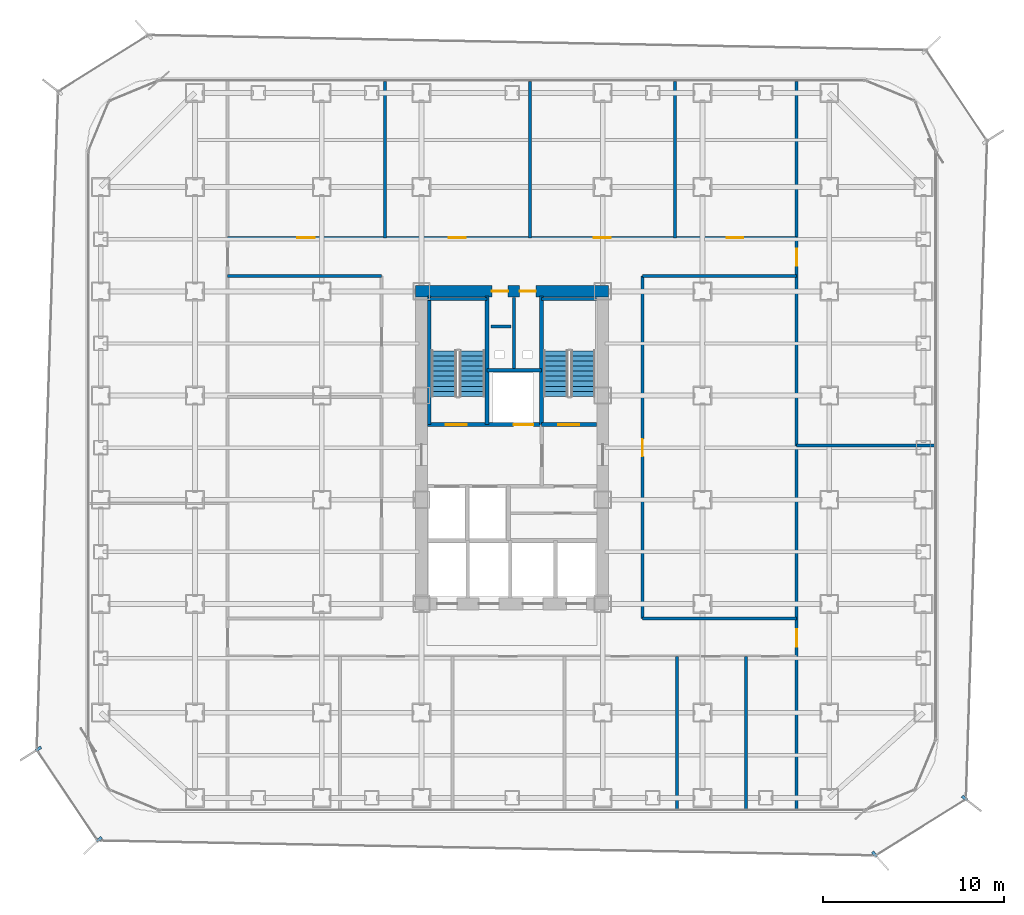
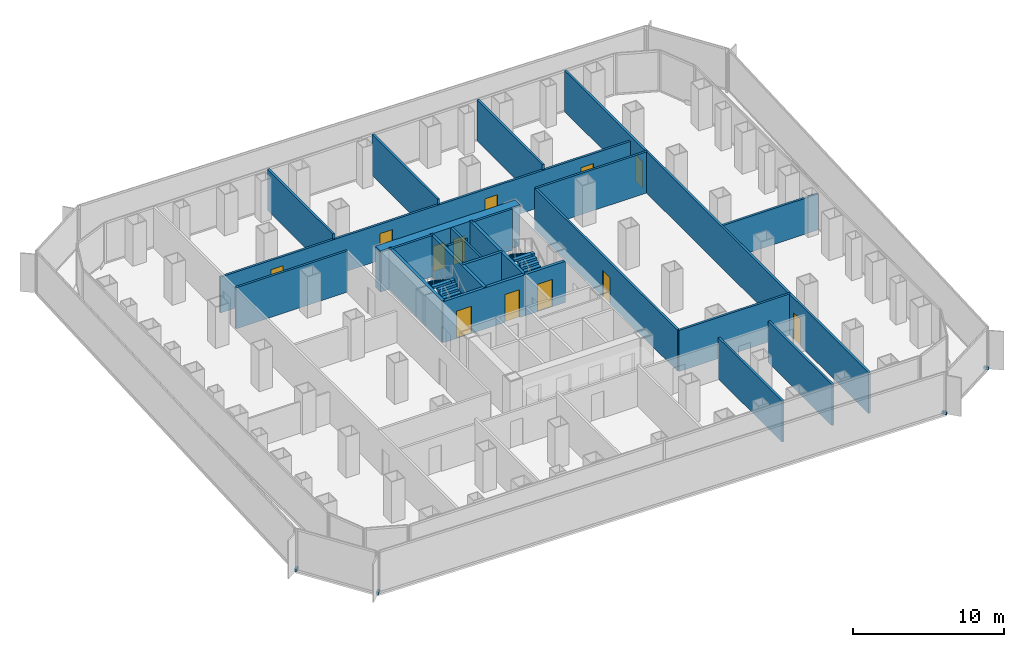
# One storey, part 18 of 22: 23 walls, 12 doors, 4 discrete accessories, 4 stair flights, 12 openings, 2 elements without a shape of their own.
"""IFC4 building model written with IfcOpenShell, lengths in metres."""

from ifc_helpers import new_model, si_unit, direction, frame, frame_2d, origin, origin_2d, place, context, subcontext, project, spatial, polyline, rectangle, outline, extrude, source, transform, mapped, material, layer, layer_set, type_object, element, fill, aggregate, save


model = new_model("IFC4")

# Units and contexts
model_context = context("Model", 3, precision=1e-05, world=origin(), true_north=direction((0.0, 1.0)))
body_context = subcontext(model_context, "Body", "Model", "MODEL_VIEW")
ifc_project = project(units=[si_unit("LENGTHUNIT", "METRE"), si_unit("AREAUNIT", "SQUARE_METRE"), si_unit("VOLUMEUNIT", "CUBIC_METRE"), si_unit("PLANEANGLEUNIT", "RADIAN"), si_unit("MASSUNIT", "GRAM", prefix="KILO")], contexts=[model_context])

# Site, building, storey
site_placement = place(None, origin())
site = spatial("IfcSite", under=ifc_project, at=site_placement, CompositionType="ELEMENT")
building_placement = place(site_placement, origin())
building = spatial("IfcBuilding", under=site, at=building_placement, Name="Kolveth Station Tower", CompositionType="ELEMENT")
storey_placement = place(building_placement, frame((0.0, 0.0, 69.300048828125)))
storey = spatial("IfcBuildingStorey", under=building, at=storey_placement, Name="L18", CompositionType="ELEMENT", Elevation=69.300048828125)

# Wall, openings, doors
ifc_material_1 = material(Name="Concrete C60/75", Category="concrete")
ifc_layer_1 = layer(ifc_material_1, 0.64990234375)
ifc_layer_set_1 = layer_set([ifc_layer_1], Name="Concrete C60/75")
wall_type_1 = type_object("IfcWallType", Name="Wall_CW-650", PredefinedType="SHEAR", material=ifc_layer_set_1)
wall_1_placement = place(storey_placement, frame((18.175048828125, 28.75, 0.0), z_axis=(0.0, 0.0, 1.0), x_axis=(1.0, 0.0, 0.0)))
wall_1 = element("IfcWall", 1, at=wall_1_placement, inside=storey, type_object=wall_type_1, Name="L18 Core RC Shear Wall N", PredefinedType="SHEAR", context=body_context, shape_type="SweptSolid", body=[
    extrude(rectangle(XDim=10.64990234375, YDim=0.64990234375, at=frame_2d((5.324951171875, 0.0))), origin(), (0.0, 0.0, 1.0), 3.320068359375),
])
opening_1_placement = place(wall_1_placement, frame((4.205078125, 0.0, 0.0)))
opening_1 = element("IfcOpeningElement", 2, at=opening_1_placement, cuts=wall_1, Name="Opening RD1", PredefinedType="OPENING", context=body_context, shape_type="SweptSolid", body=[
    extrude(rectangle(XDim=0.89990234375, YDim=2.050048828125, at=frame_2d((0.449951171875, 1.02490234375))), frame((0.0, 0.3349609375, 0.0), z_axis=(0.0, -1.0, 0.0), x_axis=(1.0, 0.0, 0.0)), (0.0, 0.0, 1.0), 0.669921875),
])
opening_2_placement = place(wall_1_placement, frame((5.7451171875, 0.0, 0.0)))
opening_2 = element("IfcOpeningElement", 3, at=opening_2_placement, cuts=wall_1, Name="Opening RD1", PredefinedType="OPENING", context=body_context, shape_type="SweptSolid", body=[
    extrude(rectangle(XDim=0.89990234375, YDim=2.050048828125, at=frame_2d((0.449951171875, 1.02490234375))), frame((0.0, 0.3349609375, 0.0), z_axis=(0.0, -1.0, 0.0), x_axis=(1.0, 0.0, 0.0)), (0.0, 0.0, 1.0), 0.669921875),
])
ifc_material_2 = material(Name="Fire-rated Steel S355 riser access leaf", Category="steel")
door_type_1 = type_object("IfcDoorType", Name="Door_RD1", OperationType="NOTDEFINED", PredefinedType="DOOR", material=ifc_material_2)
door_1_placement = place(opening_1_placement, origin())
door_1 = element("IfcDoor", 4, at=door_1_placement, inside=storey, type_object=door_type_1, Name="L18 Electrical Riser Access Door", OperationType="SINGLE_SWING_RIGHT", OverallHeight=2.050048828125, OverallWidth=0.89990234375, PredefinedType="DOOR", context=body_context, shape_type="SweptSolid", body=[
    extrude(rectangle(XDim=0.89990234375, YDim=2.050048828125, at=frame_2d((0.449951171875, 1.02490234375))), frame((0.0, 0.02490234375, 0.0), z_axis=(0.0, -1.0, 0.0), x_axis=(1.0, 0.0, 0.0)), (0.0, 0.0, 1.0), 0.050048828125),
])
fill(opening_1, door_1)
door_2_placement = place(opening_2_placement, origin())
door_2 = element("IfcDoor", 5, at=door_2_placement, inside=storey, type_object=door_type_1, Name="L18 Smoke Duct Access Door", OperationType="SINGLE_SWING_LEFT", OverallHeight=2.050048828125, OverallWidth=0.89990234375, PredefinedType="DOOR", context=body_context, shape_type="SweptSolid", body=[
    extrude(rectangle(XDim=0.89990234375, YDim=2.050048828125, at=frame_2d((0.449951171875, 1.02490234375))), frame((0.0, 0.02490234375, 0.0), z_axis=(0.0, -1.0, 0.0), x_axis=(1.0, 0.0, 0.0)), (0.0, 0.0, 1.0), 0.050048828125),
])
fill(opening_2, door_2)

# Walls
ifc_material_3 = material(Name="Acoustic double-stud gypsum partition")
ifc_layer_2 = layer(ifc_material_3, 0.1650390625)
ifc_layer_set_2 = layer_set([ifc_layer_2], Name="Acoustic double-stud gypsum partition")
wall_type_2 = type_object("IfcWallType", Name="Wall_IW-165", PredefinedType="PARTITIONING", material=ifc_layer_set_2)
wall_2_placement = place(storey_placement, frame((18.8349609375, 28.3349609375, 0.0), z_axis=(0.0, 0.0, 1.0), x_axis=(1.0, 0.0, 0.0)))
element("IfcWall", 6, at=wall_2_placement, inside=storey, type_object=wall_type_2, Name="L18 Stair Shaft Wall WL-L18-ST1-N", PredefinedType="PARTITIONING", context=body_context, shape_type="SweptSolid", body=[
    extrude(rectangle(XDim=3.275146484375, YDim=0.1650390625, at=frame_2d((1.6376953125, 0.0))), origin(), (0.0, 0.0, 1.0), 3.320068359375),
])
wall_3_placement = place(storey_placement, frame((25.1298828125, 28.3349609375, 0.0), z_axis=(0.0, 0.0, 1.0), x_axis=(1.0, 0.0, 0.0)))
element("IfcWall", 7, at=wall_3_placement, inside=storey, type_object=wall_type_2, Name="L18 Stair Shaft Wall WL-L18-ST2-N", PredefinedType="PARTITIONING", context=body_context, shape_type="SweptSolid", body=[
    extrude(rectangle(XDim=3.03515625, YDim=0.1650390625, at=frame_2d((1.517578125, 0.0))), origin(), (0.0, 0.0, 1.0), 3.320068359375),
])
wall_4_placement = place(storey_placement, frame((23.6201171875, 24.39990234375, 0.0), z_axis=(0.0, 0.0, 1.0), x_axis=(0.0, 1.0, 0.0)))
element("IfcWall", 8, at=wall_4_placement, inside=storey, type_object=wall_type_2, Name="L18 Partition Wall WL-L18-RSR-M", PredefinedType="PARTITIONING", context=body_context, shape_type="SweptSolid", body=[
    extrude(rectangle(XDim=4.01513671875, YDim=0.1650390625, at=frame_2d((2.007568359375, 0.0))), origin(), (0.0, 0.0, 1.0), 3.320068359375),
])

# Wall, openings, doors
wall_5_placement = place(storey_placement, frame((7.800048828125, 31.699951171875, 0.0), z_axis=(0.0, 0.0, 1.0), x_axis=(1.0, 0.0, 0.0)))
wall_5 = element("IfcWall", 9, at=wall_5_placement, inside=storey, type_object=wall_type_2, Name="L18 Partition Wall WL-L18-ON", PredefinedType="PARTITIONING", context=body_context, shape_type="SweptSolid", body=[
    extrude(rectangle(XDim=31.39990234375, YDim=0.1650390625, at=frame_2d((15.699951171875, 0.0))), origin(), (0.0, 0.0, 1.0), 2.89794921875),
])
opening_3_placement = place(wall_5_placement, frame((3.85009765625, 0.0, 0.0)))
opening_3 = element("IfcOpeningElement", 10, at=opening_3_placement, cuts=wall_5, Name="Opening ID1", PredefinedType="OPENING", context=body_context, shape_type="SweptSolid", body=[
    extrude(rectangle(XDim=0.949951171875, YDim=2.14990234375, at=frame_2d((0.47509765625, 1.074951171875))), frame((0.0, 0.092529296875, 0.0), z_axis=(0.0, -1.0, 0.0), x_axis=(1.0, 0.0, 0.0)), (0.0, 0.0, 1.0), 0.18505859375),
])
opening_4_placement = place(wall_5_placement, frame((12.199951171875, 0.0, 0.0)))
opening_4 = element("IfcOpeningElement", 11, at=opening_4_placement, cuts=wall_5, Name="Opening ID1", PredefinedType="OPENING", context=body_context, shape_type="SweptSolid", body=[
    extrude(rectangle(XDim=0.949951171875, YDim=2.14990234375, at=frame_2d((0.47509765625, 1.074951171875))), frame((0.0, 0.092529296875, 0.0), z_axis=(0.0, -1.0, 0.0), x_axis=(1.0, 0.0, 0.0)), (0.0, 0.0, 1.0), 0.18505859375),
])
opening_5_placement = place(wall_5_placement, frame((20.199951171875, 0.0, 0.0)))
opening_5 = element("IfcOpeningElement", 12, at=opening_5_placement, cuts=wall_5, Name="Opening ID1", PredefinedType="OPENING", context=body_context, shape_type="SweptSolid", body=[
    extrude(rectangle(XDim=0.949951171875, YDim=2.14990234375, at=frame_2d((0.47509765625, 1.074951171875))), frame((0.0, 0.092529296875, 0.0), z_axis=(0.0, -1.0, 0.0), x_axis=(1.0, 0.0, 0.0)), (0.0, 0.0, 1.0), 0.18505859375),
])
opening_6_placement = place(wall_5_placement, frame((27.550048828125, 0.0, 0.0)))
opening_6 = element("IfcOpeningElement", 13, at=opening_6_placement, cuts=wall_5, Name="Opening ID2", PredefinedType="OPENING", context=body_context, shape_type="SweptSolid", body=[
    extrude(rectangle(XDim=0.919921875, YDim=2.10009765625, at=frame_2d((0.4599609375, 1.050048828125))), frame((0.0, 0.092529296875, 0.0), z_axis=(0.0, -1.0, 0.0), x_axis=(1.0, 0.0, 0.0)), (0.0, 0.0, 1.0), 0.18505859375),
])
ifc_material_4 = material(Name="Acoustic hardwood leaf and aluminium frame", Category="wood")
door_type_2 = type_object("IfcDoorType", Name="Door_ID1", OperationType="NOTDEFINED", PredefinedType="DOOR", material=ifc_material_4)
door_3_placement = place(opening_3_placement, origin())
door_3 = element("IfcDoor", 14, at=door_3_placement, inside=storey, type_object=door_type_2, Name="L18 Cellular Office 1 Door", OperationType="SINGLE_SWING_RIGHT", OverallHeight=2.14990234375, OverallWidth=0.949951171875, PredefinedType="DOOR", context=body_context, shape_type="SweptSolid", body=[
    extrude(rectangle(XDim=0.949951171875, YDim=2.14990234375, at=frame_2d((0.47509765625, 1.074951171875))), frame((0.0, 0.02490234375, 0.0), z_axis=(0.0, -1.0, 0.0), x_axis=(1.0, 0.0, 0.0)), (0.0, 0.0, 1.0), 0.050048828125),
])
fill(opening_3, door_3)
door_4_placement = place(opening_4_placement, origin())
door_4 = element("IfcDoor", 15, at=door_4_placement, inside=storey, type_object=door_type_2, Name="L18 Cellular Office 2 Door", OperationType="SINGLE_SWING_LEFT", OverallHeight=2.14990234375, OverallWidth=0.949951171875, PredefinedType="DOOR", context=body_context, shape_type="SweptSolid", body=[
    extrude(rectangle(XDim=0.949951171875, YDim=2.14990234375, at=frame_2d((0.47509765625, 1.074951171875))), frame((0.0, 0.02490234375, 0.0), z_axis=(0.0, -1.0, 0.0), x_axis=(1.0, 0.0, 0.0)), (0.0, 0.0, 1.0), 0.050048828125),
])
fill(opening_4, door_4)
door_5_placement = place(opening_5_placement, origin())
door_5 = element("IfcDoor", 16, at=door_5_placement, inside=storey, type_object=door_type_2, Name="L18 Meeting Room E Door", OperationType="SINGLE_SWING_RIGHT", OverallHeight=2.14990234375, OverallWidth=0.949951171875, PredefinedType="DOOR", context=body_context, shape_type="SweptSolid", body=[
    extrude(rectangle(XDim=0.949951171875, YDim=2.14990234375, at=frame_2d((0.47509765625, 1.074951171875))), frame((0.0, 0.02490234375, 0.0), z_axis=(0.0, -1.0, 0.0), x_axis=(1.0, 0.0, 0.0)), (0.0, 0.0, 1.0), 0.050048828125),
])
fill(opening_5, door_5)
ifc_material_5 = material(Name="Moisture-resistant hardwood leaf", Category="wood")
door_type_3 = type_object("IfcDoorType", Name="Door_ID2", OperationType="NOTDEFINED", PredefinedType="DOOR", material=ifc_material_5)
door_6_placement = place(opening_6_placement, origin())
door_6 = element("IfcDoor", 17, at=door_6_placement, inside=storey, type_object=door_type_3, Name="L18 Staff Toilet Door", OperationType="SINGLE_SWING_LEFT", OverallHeight=2.10009765625, OverallWidth=0.919921875, PredefinedType="DOOR", context=body_context, shape_type="SweptSolid", body=[
    extrude(rectangle(XDim=0.919921875, YDim=2.10009765625, at=frame_2d((0.4599609375, 1.050048828125))), frame((0.0, 0.02490234375, 0.0), z_axis=(0.0, -1.0, 0.0), x_axis=(1.0, 0.0, 0.0)), (0.0, 0.0, 1.0), 0.050048828125),
])
fill(opening_6, door_6)

# Walls
for number, where, z_axis, x_axis, name in (
    (18, (30.699951171875, 10.699951171875, 0.0), (0.0, 0.0, 1.0), (1.0, 0.0, 0.0), "L18 Partition Wall WL-L18-OSET"),
    (19, (7.800048828125, 29.60009765625, 0.0), (0.0, 0.0, 1.0), (1.0, 0.0, 0.0), "L18 Partition Wall WL-L18-ONWB"),
    (20, (30.699951171875, 29.60009765625, 0.0), (0.0, 0.0, 1.0), (1.0, 0.0, 0.0), "L18 Partition Wall WL-L18-ONEB"),
):
    element("IfcWall", number, at=place(storey_placement, frame(where, z_axis=z_axis, x_axis=x_axis)), inside=storey, type_object=wall_type_2, Name=name, PredefinedType="PARTITIONING", context=body_context, shape_type="SweptSolid", body=[
        extrude(rectangle(XDim=8.5, YDim=0.1650390625, at=frame_2d((4.25, 0.0))), origin(), (0.0, 0.0, 1.0), 3.320068359375),
    ])

# Wall, opening, door
wall_6_placement = place(storey_placement, frame((30.699951171875, 10.699951171875, 0.0), z_axis=(0.0, 0.0, 1.0), x_axis=(0.0, 1.0, 0.0)))
wall_6 = element("IfcWall", 21, at=wall_6_placement, inside=storey, type_object=wall_type_2, Name="L18 Partition Wall WL-L18-OCE", PredefinedType="PARTITIONING", context=body_context, shape_type="SweptSolid", body=[
    extrude(rectangle(XDim=18.900146484375, YDim=0.1650390625, at=frame_2d((9.4501953125, 0.0))), origin(), (0.0, 0.0, 1.0), 3.320068359375),
])
opening_7_placement = place(wall_6_placement, frame((8.949951171875, 0.0, 0.0)))
opening_7 = element("IfcOpeningElement", 22, at=opening_7_placement, cuts=wall_6, Name="Opening ID1", PredefinedType="OPENING", context=body_context, shape_type="SweptSolid", body=[
    extrude(rectangle(XDim=0.949951171875, YDim=2.14990234375, at=frame_2d((0.47509765625, 1.074951171875))), frame((0.0, 0.092529296875, 0.0), z_axis=(0.0, -1.0, 0.0), x_axis=(1.0, 0.0, 0.0)), (0.0, 0.0, 1.0), 0.18505859375),
])
door_7_placement = place(opening_7_placement, origin())
door_7 = element("IfcDoor", 23, at=door_7_placement, inside=storey, type_object=door_type_2, Name="L18 Internal Meeting Room E1 Door", OperationType="SINGLE_SWING_RIGHT", OverallHeight=2.14990234375, OverallWidth=0.949951171875, PredefinedType="DOOR", context=body_context, shape_type="SweptSolid", body=[
    extrude(rectangle(XDim=0.949951171875, YDim=2.14990234375, at=frame_2d((0.47509765625, 1.074951171875))), frame((0.0, 0.02490234375, 0.0), z_axis=(0.0, -1.0, 0.0), x_axis=(1.0, 0.0, 0.0)), (0.0, 0.0, 1.0), 0.050048828125),
])
fill(opening_7, door_7)

# Wall, openings, doors
wall_7_placement = place(storey_placement, frame((39.199951171875, 0.159912109375, 0.0), z_axis=(0.0, 0.0, 1.0), x_axis=(0.0, 1.0, 0.0)))
wall_7 = element("IfcWall", 24, at=wall_7_placement, inside=storey, type_object=wall_type_2, Name="L18 Partition Wall WL-L18-OEEND", PredefinedType="PARTITIONING", context=body_context, shape_type="SweptSolid", body=[
    extrude(rectangle(XDim=40.18017578125, YDim=0.1650390625, at=frame_2d((20.090087890625, 0.0))), origin(), (0.0, 0.0, 1.0), 3.320068359375),
])
opening_8_placement = place(wall_7_placement, frame((8.989990234375, 0.0, 0.0)))
opening_8 = element("IfcOpeningElement", 25, at=opening_8_placement, cuts=wall_7, Name="Opening ID1", PredefinedType="OPENING", context=body_context, shape_type="SweptSolid", body=[
    extrude(rectangle(XDim=0.949951171875, YDim=2.14990234375, at=frame_2d((0.47509765625, 1.074951171875))), frame((0.0, 0.092529296875, 0.0), z_axis=(0.0, -1.0, 0.0), x_axis=(1.0, 0.0, 0.0)), (0.0, 0.0, 1.0), 0.18505859375),
])
opening_9_placement = place(wall_7_placement, frame((29.989990234375, 0.0, 0.0)))
opening_9 = element("IfcOpeningElement", 26, at=opening_9_placement, cuts=wall_7, Name="Opening ID1", PredefinedType="OPENING", context=body_context, shape_type="SweptSolid", body=[
    extrude(rectangle(XDim=0.949951171875, YDim=2.14990234375, at=frame_2d((0.47509765625, 1.074951171875))), frame((0.0, 0.092529296875, 0.0), z_axis=(0.0, -1.0, 0.0), x_axis=(1.0, 0.0, 0.0)), (0.0, 0.0, 1.0), 0.18505859375),
])
door_8_placement = place(opening_8_placement, origin())
door_8 = element("IfcDoor", 27, at=door_8_placement, inside=storey, type_object=door_type_2, Name="L18 East-South Wing Door", OperationType="SINGLE_SWING_RIGHT", OverallHeight=2.14990234375, OverallWidth=0.949951171875, PredefinedType="DOOR", context=body_context, shape_type="SweptSolid", body=[
    extrude(rectangle(XDim=0.949951171875, YDim=2.14990234375, at=frame_2d((0.47509765625, 1.074951171875))), frame((0.0, 0.02490234375, 0.0), z_axis=(0.0, -1.0, 0.0), x_axis=(1.0, 0.0, 0.0)), (0.0, 0.0, 1.0), 0.050048828125),
])
fill(opening_8, door_8)
door_9_placement = place(opening_9_placement, origin())
door_9 = element("IfcDoor", 28, at=door_9_placement, inside=storey, type_object=door_type_2, Name="L18 East-North Wing Door", OperationType="SINGLE_SWING_LEFT", OverallHeight=2.14990234375, OverallWidth=0.949951171875, PredefinedType="DOOR", context=body_context, shape_type="SweptSolid", body=[
    extrude(rectangle(XDim=0.949951171875, YDim=2.14990234375, at=frame_2d((0.47509765625, 1.074951171875))), frame((0.0, 0.02490234375, 0.0), z_axis=(0.0, -1.0, 0.0), x_axis=(1.0, 0.0, 0.0)), (0.0, 0.0, 1.0), 0.050048828125),
])
fill(opening_9, door_9)

# Walls
for number, where, z_axis, x_axis, name in (
    (29, (32.60009765625, 0.159912109375, 0.0), (0.0, 0.0, 1.0), (0.0, 1.0, 0.0), "L18 Partition Wall WL-L18-OS-P4"),
    (30, (36.39990234375, 0.159912109375, 0.0), (0.0, 0.0, 1.0), (0.0, 1.0, 0.0), "L18 Partition Wall WL-L18-OS-P5"),
):
    element("IfcWall", number, at=place(storey_placement, frame(where, z_axis=z_axis, x_axis=x_axis)), inside=storey, type_object=wall_type_2, Name=name, PredefinedType="PARTITIONING", context=body_context, shape_type="SweptSolid", body=[
        extrude(rectangle(XDim=8.440185546875, YDim=0.1650390625, at=frame_2d((4.22021484375, 0.0))), origin(), (0.0, 0.0, 1.0), 3.320068359375),
    ])
for number, where, z_axis, x_axis, name in (
    (31, (16.5, 31.699951171875, 0.0), (0.0, 0.0, 1.0), (0.0, 1.0, 0.0), "L18 Partition Wall WL-L18-ON-P1"),
    (32, (24.5, 31.699951171875, 0.0), (0.0, 0.0, 1.0), (0.0, 1.0, 0.0), "L18 Partition Wall WL-L18-ON-P2"),
    (33, (32.5, 31.699951171875, 0.0), (0.0, 0.0, 1.0), (0.0, 1.0, 0.0), "L18 Partition Wall WL-L18-ON-P3"),
):
    element("IfcWall", number, at=place(storey_placement, frame(where, z_axis=z_axis, x_axis=x_axis)), inside=storey, type_object=wall_type_2, Name=name, PredefinedType="PARTITIONING", context=body_context, shape_type="SweptSolid", body=[
        extrude(rectangle(XDim=8.64013671875, YDim=0.1650390625, at=frame_2d((4.320068359375, 0.0))), origin(), (0.0, 0.0, 1.0), 3.320068359375),
    ])
wall_8_placement = place(storey_placement, frame((39.199951171875, 20.25, 0.0), z_axis=(0.0, 0.0, 1.0), x_axis=(1.0, 0.0, 0.0)))
element("IfcWall", 34, at=wall_8_placement, inside=storey, type_object=wall_type_2, Name="L18 Partition Wall WL-L18-OEM", PredefinedType="PARTITIONING", context=body_context, shape_type="SweptSolid", body=[
    extrude(rectangle(XDim=7.64013671875, YDim=0.1650390625, at=frame_2d((3.820068359375, 0.0))), origin(), (0.0, 0.0, 1.0), 2.89794921875),
])
wall_9_placement = place(storey_placement, frame((22.35009765625, 26.800048828125, 0.0), z_axis=(0.0, 0.0, 1.0), x_axis=(1.0, 0.0, 0.0)))
element("IfcWall", 35, at=wall_9_placement, inside=storey, type_object=wall_type_2, Name="L18 Acoustic Riser Dry-Lining Wall", PredefinedType="PARTITIONING", context=body_context, shape_type="SweptSolid", body=[
    extrude(rectangle(XDim=1.099853515625, YDim=0.1650390625, at=frame_2d((0.5498046875, 0.0))), origin(), (0.0, 0.0, 1.0), 3.320068359375),
])
ifc_material_6 = material(Name="Acoustic fire-rated gypsum blockwork", Category="masonry")
ifc_layer_3 = layer(ifc_material_6, 0.199951171875)
ifc_layer_set_3 = layer_set([ifc_layer_3], Name="Acoustic fire-rated gypsum blockwork")
wall_type_3 = type_object("IfcWallType", Name="Wall_IW-200", PredefinedType="PARTITIONING", material=ifc_layer_set_3)
wall_10_placement = place(storey_placement, frame((22.110107421875, 24.39990234375, 0.0), z_axis=(0.0, 0.0, 1.0), x_axis=(1.0, 0.0, 0.0)))
element("IfcWall", 36, at=wall_10_placement, inside=storey, type_object=wall_type_3, Name="L18 Partition Wall WL-L18-RSR-S", PredefinedType="PARTITIONING", context=body_context, shape_type="SweptSolid", body=[
    extrude(rectangle(XDim=3.019775390625, YDim=0.199951171875, at=frame_2d((1.509765625, 0.0))), origin(), (0.0, 0.0, 1.0), 3.320068359375),
])
ifc_material_7 = material(Name="Concrete C40/50", Category="concrete")
ifc_layer_4 = layer(ifc_material_7, 0.219970703125)
ifc_layer_set_4 = layer_set([ifc_layer_4], Name="Concrete C40/50")
wall_type_4 = type_object("IfcWallType", Name="Wall_IW-220", PredefinedType="SOLIDWALL", material=ifc_layer_set_4)
for number, where, z_axis, x_axis, name in (
    (37, (18.929931640625, 21.389892578125, 0.0), (0.0, 0.0, 1.0), (0.0, 1.0, 0.0), "L18 Stair Shaft Wall WL-L18-ST1-W"),
    (38, (22.110107421875, 21.389892578125, 0.0), (0.0, 0.0, 1.0), (0.0, 1.0, 0.0), "L18 Stair Shaft Wall WL-L18-ST1-E"),
    (39, (25.1298828125, 21.389892578125, 0.0), (0.0, 0.0, 1.0), (0.0, 1.0, 0.0), "L18 Stair Shaft Wall WL-L18-ST2-W"),
):
    element("IfcWall", number, at=place(storey_placement, frame(where, z_axis=z_axis, x_axis=x_axis)), inside=storey, type_object=wall_type_4, Name=name, PredefinedType="SOLIDWALL", context=body_context, shape_type="SweptSolid", body=[
        extrude(rectangle(XDim=7.110107421875, YDim=0.219970703125, at=frame_2d((3.55517578125, 0.0))), origin(), (0.0, 0.0, 1.0), 3.320068359375),
    ])

# Wall, openings, doors
wall_11_placement = place(storey_placement, frame((18.8349609375, 21.389892578125, 0.0), z_axis=(0.0, 0.0, 1.0), x_axis=(1.0, 0.0, 0.0)))
wall_11 = element("IfcWall", 40, at=wall_11_placement, inside=storey, type_object=wall_type_4, Name="L18 Stair Shaft Wall WL-L18-ST1-S", PredefinedType="SOLIDWALL", context=body_context, shape_type="SweptSolid", body=[
    extrude(rectangle(XDim=6.294921875, YDim=0.219970703125, at=frame_2d((3.1474609375, 0.0))), origin(), (0.0, 0.0, 1.0), 3.320068359375),
])
opening_10_placement = place(wall_11_placement, frame((1.014892578125, 0.0, 0.0)))
opening_10 = element("IfcOpeningElement", 41, at=opening_10_placement, cuts=wall_11, Name="Opening FD1", PredefinedType="OPENING", context=body_context, shape_type="SweptSolid", body=[
    extrude(rectangle(XDim=1.14990234375, YDim=2.199951171875, at=frame_2d((0.574951171875, 1.10009765625))), frame((0.0, 0.119873046875, 0.0), z_axis=(0.0, -1.0, 0.0), x_axis=(1.0, 0.0, 0.0)), (0.0, 0.0, 1.0), 0.239990234375),
])
opening_11_placement = place(wall_11_placement, frame((4.7451171875, 0.0, 0.0)))
opening_11 = element("IfcOpeningElement", 42, at=opening_11_placement, cuts=wall_11, Name="Opening LD1", PredefinedType="OPENING", context=body_context, shape_type="SweptSolid", body=[
    extrude(rectangle(XDim=1.10009765625, YDim=2.25, at=frame_2d((0.550048828125, 1.125))), frame((0.0, 0.119873046875, 0.0), z_axis=(0.0, -1.0, 0.0), x_axis=(1.0, 0.0, 0.0)), (0.0, 0.0, 1.0), 0.239990234375),
])
ifc_material_8 = material(Name="Fire-rated Steel S355 leaf and frame", Category="steel")
door_type_4 = type_object("IfcDoorType", Name="Door_FD1", OperationType="NOTDEFINED", PredefinedType="DOOR", material=ifc_material_8)
door_10_placement = place(opening_10_placement, frame((1.14990234375, 0.0, 0.0), z_axis=(0.0, 0.0, 1.0), x_axis=(-1.0, 0.0, 0.0)))
door_10 = element("IfcDoor", 43, at=door_10_placement, inside=storey, type_object=door_type_4, Name="L18 Stair ST1 Fire Door", OperationType="SINGLE_SWING_LEFT", OverallHeight=2.199951171875, OverallWidth=1.14990234375, PredefinedType="DOOR", context=body_context, shape_type="SweptSolid", body=[
    extrude(rectangle(XDim=1.14990234375, YDim=2.199951171875, at=frame_2d((0.574951171875, 1.10009765625))), frame((0.0, 0.02490234375, 0.0), z_axis=(0.0, -1.0, 0.0), x_axis=(1.0, 0.0, 0.0)), (0.0, 0.0, 1.0), 0.050048828125),
])
fill(opening_10, door_10)
ifc_material_9 = material(Name="Brushed stainless steel sliding landing doors", Category="steel")
door_type_5 = type_object("IfcDoorType", Name="Door_LD1", OperationType="NOTDEFINED", PredefinedType="DOOR", material=ifc_material_9)
door_11_placement = place(opening_11_placement, frame((1.10009765625, 0.0, 0.0), z_axis=(0.0, 0.0, 1.0), x_axis=(-1.0, 0.0, 0.0)))
door_11 = element("IfcDoor", 44, at=door_11_placement, inside=storey, type_object=door_type_5, Name="L18 Service Lift SV1 Landing Door", OperationType="DOUBLE_DOOR_SLIDING", OverallHeight=2.25, OverallWidth=1.10009765625, PredefinedType="DOOR", context=body_context, shape_type="SweptSolid", body=[
    extrude(rectangle(XDim=1.10009765625, YDim=2.25, at=frame_2d((0.550048828125, 1.125))), frame((0.0, 0.02490234375, 0.0), z_axis=(0.0, -1.0, 0.0), x_axis=(1.0, 0.0, 0.0)), (0.0, 0.0, 1.0), 0.050048828125),
])
fill(opening_11, door_11)

# Wall, opening, door
wall_12_placement = place(storey_placement, frame((25.1298828125, 21.389892578125, 0.0), z_axis=(0.0, 0.0, 1.0), x_axis=(1.0, 0.0, 0.0)))
wall_12 = element("IfcWall", 45, at=wall_12_placement, inside=storey, type_object=wall_type_4, Name="L18 Stair Shaft Wall WL-L18-ST2-S", PredefinedType="SOLIDWALL", context=body_context, shape_type="SweptSolid", body=[
    extrude(rectangle(XDim=3.03515625, YDim=0.219970703125, at=frame_2d((1.517578125, 0.0))), origin(), (0.0, 0.0, 1.0), 3.320068359375),
])
opening_12_placement = place(wall_12_placement, frame((0.919921875, 0.0, 0.0)))
opening_12 = element("IfcOpeningElement", 46, at=opening_12_placement, cuts=wall_12, Name="Opening FD1", PredefinedType="OPENING", context=body_context, shape_type="SweptSolid", body=[
    extrude(rectangle(XDim=1.14990234375, YDim=2.199951171875, at=frame_2d((0.574951171875, 1.10009765625))), frame((0.0, 0.119873046875, 0.0), z_axis=(0.0, -1.0, 0.0), x_axis=(1.0, 0.0, 0.0)), (0.0, 0.0, 1.0), 0.239990234375),
])
door_12_placement = place(opening_12_placement, frame((1.14990234375, 0.0, 0.0), z_axis=(0.0, 0.0, 1.0), x_axis=(-1.0, 0.0, 0.0)))
door_12 = element("IfcDoor", 47, at=door_12_placement, inside=storey, type_object=door_type_4, Name="L18 Stair ST2 Fire Door", OperationType="SINGLE_SWING_RIGHT", OverallHeight=2.199951171875, OverallWidth=1.14990234375, PredefinedType="DOOR", context=body_context, shape_type="SweptSolid", body=[
    extrude(rectangle(XDim=1.14990234375, YDim=2.199951171875, at=frame_2d((0.574951171875, 1.10009765625))), frame((0.0, 0.02490234375, 0.0), z_axis=(0.0, -1.0, 0.0), x_axis=(1.0, 0.0, 0.0)), (0.0, 0.0, 1.0), 0.050048828125),
])
fill(opening_12, door_12)

# Stair, stair flights
stair_type_1 = type_object("IfcStairType", Name="Stair_ST1", PredefinedType="HALF_TURN_STAIR", material=ifc_material_7)
stair_1_placement = place(storey_placement, origin())
stair_1 = element("IfcStair", 48, at=stair_1_placement, inside=storey, type_object=stair_type_1, Name="L18 Tower Exit Stair ST1", PredefinedType="HALF_TURN_STAIR")
ifc_layer_5 = layer(ifc_material_7, 0.179931640625)
ifc_layer_set_5 = layer_set([ifc_layer_5], Name="Concrete C40/50")
stair_flight_type_1 = type_object("IfcStairFlightType", Name="Flight_ST1", PredefinedType="STRAIGHT", material=ifc_layer_set_5)
stair_flight_1_placement = place(storey_placement, frame((21.300048828125, 22.949951171875, 0.0), z_axis=(0.0, 0.0, 1.0), x_axis=(0.0, 1.0, 0.0)))
stair_flight_1 = element("IfcStairFlight", 49, at=stair_flight_1_placement, type_object=stair_flight_type_1, Name="ST1 flight 1", NumberOfRisers=10, NumberOfTreads=9, PredefinedType="STRAIGHT", RiserHeight=0.18, TreadLength=0.28, context=body_context, shape_type="SweptSolid", body=[
    extrude(outline(polyline([(0.0, 0.0), (0.0, 0.179931640625), (0.280029296875, 0.179931640625), (0.280029296875, 0.360107421875), (0.56005859375, 0.360107421875), (0.56005859375, 0.5400390625), (0.840087890625, 0.5400390625), (0.840087890625, 0.719970703125), (1.1201171875, 0.719970703125), (1.1201171875, 0.89990234375), (1.39990234375, 0.89990234375), (1.39990234375, 1.080078125), (1.679931640625, 1.080078125), (1.679931640625, 1.260009765625), (1.9599609375, 1.260009765625), (1.9599609375, 1.43994140625), (2.239990234375, 1.43994140625), (2.239990234375, 1.6201171875), (2.52001953125, 1.6201171875), (2.52001953125, 1.800048828125), (2.52001953125, 1.44189453125), (0.277099609375, 0.0), (0.0, 0.0)])), frame((0.0, 0.699951171875, 0.0), z_axis=(0.0, -1.0, 0.0), x_axis=(1.0, 0.0, 0.0)), (0.0, 0.0, 1.0), 1.39990234375),
])
stair_flight_2_placement = place(storey_placement, frame((19.739990234375, 25.469970703125, 1.800048828125), z_axis=(0.0, 0.0, 1.0), x_axis=(0.0, -1.0, 0.0)))
stair_flight_2 = element("IfcStairFlight", 50, at=stair_flight_2_placement, type_object=stair_flight_type_1, Name="ST1 flight 2", NumberOfRisers=10, NumberOfTreads=9, PredefinedType="STRAIGHT", RiserHeight=0.18, TreadLength=0.28, context=body_context, shape_type="SweptSolid", body=[
    extrude(outline(polyline([(0.0, 0.0), (0.0, 0.179931640625), (0.280029296875, 0.179931640625), (0.280029296875, 0.360107421875), (0.56005859375, 0.360107421875), (0.56005859375, 0.5400390625), (0.840087890625, 0.5400390625), (0.840087890625, 0.719970703125), (1.1201171875, 0.719970703125), (1.1201171875, 0.89990234375), (1.39990234375, 0.89990234375), (1.39990234375, 1.080078125), (1.679931640625, 1.080078125), (1.679931640625, 1.260009765625), (1.9599609375, 1.260009765625), (1.9599609375, 1.43994140625), (2.239990234375, 1.43994140625), (2.239990234375, 1.6201171875), (2.52001953125, 1.6201171875), (2.52001953125, 1.800048828125), (2.52001953125, 1.44189453125), (0.277099609375, 0.0), (0.0, 0.0)])), frame((0.0, 0.699951171875, 0.0), z_axis=(0.0, -1.0, 0.0), x_axis=(1.0, 0.0, 0.0)), (0.0, 0.0, 1.0), 1.39990234375),
])
aggregate(stair_1, [stair_flight_1, stair_flight_2])

stair_type_2 = type_object("IfcStairType", Name="Stair_ST2", PredefinedType="HALF_TURN_STAIR", material=ifc_material_7)
stair_2_placement = place(storey_placement, origin())
stair_2 = element("IfcStair", 51, at=stair_2_placement, inside=storey, type_object=stair_type_2, Name="L18 Tower Exit Stair ST2", PredefinedType="HALF_TURN_STAIR")
ifc_layer_6 = layer(ifc_material_7, 0.179931640625)
ifc_layer_set_6 = layer_set([ifc_layer_6], Name="Concrete C40/50")
stair_flight_type_2 = type_object("IfcStairFlightType", Name="Flight_ST2", PredefinedType="STRAIGHT", material=ifc_layer_set_6)
stair_flight_3_placement = place(storey_placement, frame((27.425048828125, 22.949951171875, 0.0), z_axis=(0.0, 0.0, 1.0), x_axis=(0.0, 1.0, 0.0)))
stair_flight_3 = element("IfcStairFlight", 52, at=stair_flight_3_placement, type_object=stair_flight_type_2, Name="ST2 flight 1", NumberOfRisers=10, NumberOfTreads=9, PredefinedType="STRAIGHT", RiserHeight=0.18, TreadLength=0.28, context=body_context, shape_type="SweptSolid", body=[
    extrude(outline(polyline([(0.0, 0.0), (0.0, 0.179931640625), (0.280029296875, 0.179931640625), (0.280029296875, 0.360107421875), (0.56005859375, 0.360107421875), (0.56005859375, 0.5400390625), (0.840087890625, 0.5400390625), (0.840087890625, 0.719970703125), (1.1201171875, 0.719970703125), (1.1201171875, 0.89990234375), (1.39990234375, 0.89990234375), (1.39990234375, 1.080078125), (1.679931640625, 1.080078125), (1.679931640625, 1.260009765625), (1.9599609375, 1.260009765625), (1.9599609375, 1.43994140625), (2.239990234375, 1.43994140625), (2.239990234375, 1.6201171875), (2.52001953125, 1.6201171875), (2.52001953125, 1.800048828125), (2.52001953125, 1.44189453125), (0.277099609375, 0.0), (0.0, 0.0)])), frame((0.0, 0.675048828125, 0.0), z_axis=(0.0, -1.0, 0.0), x_axis=(1.0, 0.0, 0.0)), (0.0, 0.0, 1.0), 1.35009765625),
])
stair_flight_4_placement = place(storey_placement, frame((25.9150390625, 25.469970703125, 1.800048828125), z_axis=(0.0, 0.0, 1.0), x_axis=(0.0, -1.0, 0.0)))
stair_flight_4 = element("IfcStairFlight", 53, at=stair_flight_4_placement, type_object=stair_flight_type_2, Name="ST2 flight 2", NumberOfRisers=10, NumberOfTreads=9, PredefinedType="STRAIGHT", RiserHeight=0.18, TreadLength=0.28, context=body_context, shape_type="SweptSolid", body=[
    extrude(outline(polyline([(0.0, 0.0), (0.0, 0.179931640625), (0.280029296875, 0.179931640625), (0.280029296875, 0.360107421875), (0.56005859375, 0.360107421875), (0.56005859375, 0.5400390625), (0.840087890625, 0.5400390625), (0.840087890625, 0.719970703125), (1.1201171875, 0.719970703125), (1.1201171875, 0.89990234375), (1.39990234375, 0.89990234375), (1.39990234375, 1.080078125), (1.679931640625, 1.080078125), (1.679931640625, 1.260009765625), (1.9599609375, 1.260009765625), (1.9599609375, 1.43994140625), (2.239990234375, 1.43994140625), (2.239990234375, 1.6201171875), (2.52001953125, 1.6201171875), (2.52001953125, 1.800048828125), (2.52001953125, 1.44189453125), (0.277099609375, 0.0), (0.0, 0.0)])), frame((0.0, 0.675048828125, 0.0), z_axis=(0.0, -1.0, 0.0), x_axis=(1.0, 0.0, 0.0)), (0.0, 0.0, 1.0), 1.35009765625),
])
aggregate(stair_2, [stair_flight_3, stair_flight_4])

# Discrete accessories
ifc_material_10 = material(Name="Steel S355", Category="steel")
discrete_accessory_type = type_object("IfcDiscreteAccessoryType", Name="Bracket_BK1", PredefinedType="BRACKET", material=ifc_material_10)
shared_shape = source(origin(), body_context, "Body", "SweptSolid", [
    extrude(rectangle(XDim=0.35009765625, YDim=0.159912109375, at=origin_2d()), origin(), (0.0, 0.0, 1.0), 0.219970703125),
])
for number, where, z_axis, x_axis, name in (
    (54, (43.501953125, -2.30810546875, -0.06005859375), (0.0, 0.0, 1.0), (0.663403989347, -0.748261416163, 0.0), "L18 Double-Skin Radial Tie Bracket 1"),
    (55, (48.471923828125, 0.784912109375, -0.06005859375), (0.0, 0.0, 1.0), (0.788655040603, -0.614835934971, 0.0), "L18 Double-Skin Radial Tie Bracket 2"),
    (56, (-2.639892578125, 3.501953125, -0.06005859375), (0.0, 0.0, 1.0), (-0.841981910079, -0.539505758171, 0.0), "L18 Double-Skin Radial Tie Bracket 7"),
    (57, (0.715087890625, -1.492919921875, -0.06005859375), (0.0, 0.0, 1.0), (-0.7234492966, -0.690377516471, 0.0), "L18 Double-Skin Radial Tie Bracket 8"),
):
    element("IfcDiscreteAccessory", number, at=place(storey_placement, frame(where, z_axis=z_axis, x_axis=x_axis)), inside=storey, type_object=discrete_accessory_type, Name=name, PredefinedType="BRACKET", context=body_context, shape_type="MappedRepresentation", body=[
        mapped(shared_shape, transform((0.0, 0.0, 0.0), x_axis=(1.0, 0.0, 0.0), y_axis=(0.0, 1.0, 0.0), z_axis=(0.0, 0.0, 1.0), scale=1.0)),
    ])

save(model, "model.ifc")
